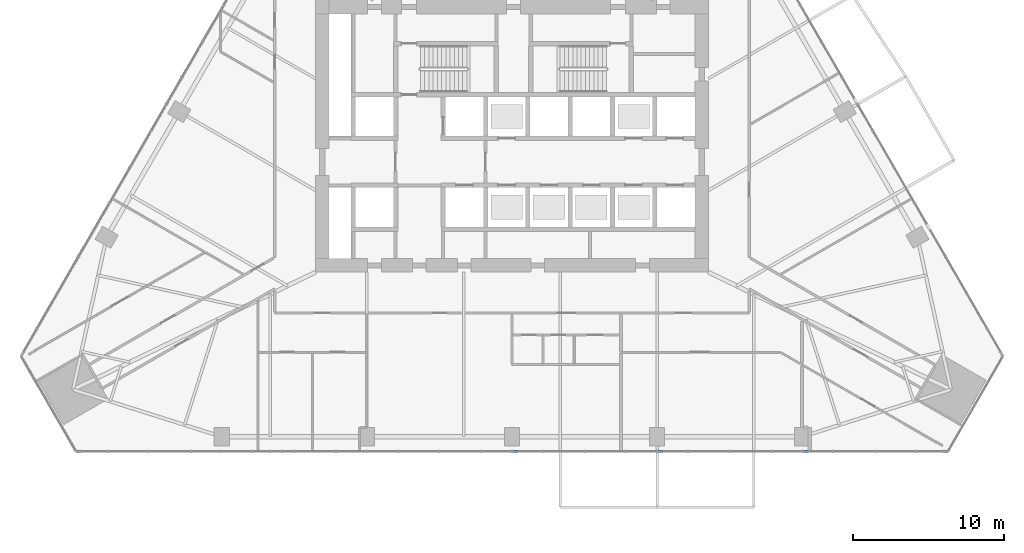
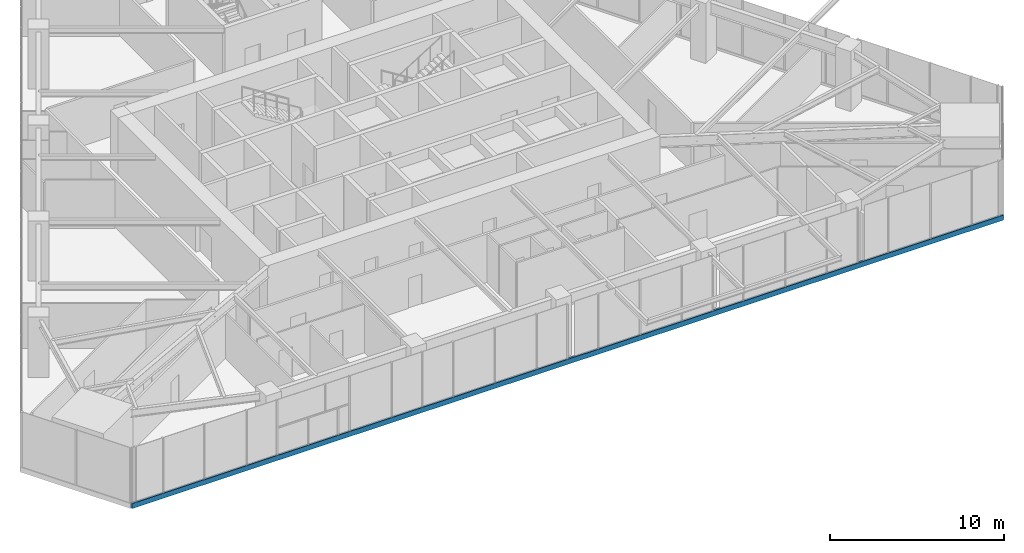
# One storey, part 5 of 29: 1 member, 1 element without a shape of its own.
"""IFC4 building model written with IfcOpenShell, lengths in metres."""

from ifc_helpers import new_model, si_unit, direction, frame, origin, origin_2d, place, context, subcontext, project, spatial, rectangle, extrude, material, layer, layer_set, material_profile, profile_set, type_object, element, aggregate, save


model = new_model("IFC4")

# Units and contexts
model_context = context("Model", 3, precision=1e-05, world=origin(), true_north=direction((0.0, 1.0)))
body_context = subcontext(model_context, "Body", "Model", "MODEL_VIEW")
ifc_project = project(units=[si_unit("LENGTHUNIT", "METRE"), si_unit("AREAUNIT", "SQUARE_METRE"), si_unit("VOLUMEUNIT", "CUBIC_METRE"), si_unit("PLANEANGLEUNIT", "RADIAN"), si_unit("MASSUNIT", "GRAM", prefix="KILO")], contexts=[model_context])

# Site, building, storey
site_placement = place(None, origin())
site = spatial("IfcSite", under=ifc_project, at=site_placement, CompositionType="ELEMENT")
building_placement = place(site_placement, origin())
building = spatial("IfcBuilding", under=site, at=building_placement, Name="Firuza Gate Tower and Library", CompositionType="ELEMENT")
storey_placement = place(building_placement, frame((0.0, 0.0, 44.199951171875)))
storey = spatial("IfcBuildingStorey", under=building, at=storey_placement, Name="L09", CompositionType="ELEMENT", Elevation=44.199951171875)

# Curtain wall, member
ifc_material_1 = material(Name="Aluminium 6063-T6", Category="aluminium")
ifc_layer = layer(ifc_material_1, 0.14990234375)
ifc_layer_set = layer_set([ifc_layer], Name="Unitised curtain wall, offices")
curtain_wall_type = type_object("IfcCurtainWallType", Name="Unitised curtain wall, offices", PredefinedType="NOTDEFINED", material=ifc_layer_set)
curtain_wall_placement = place(storey_placement, origin())
curtain_wall = element("IfcCurtainWall", 1, at=curtain_wall_placement, inside=storey, type_object=curtain_wall_type, Name="CW1 L09 S face", PredefinedType="NOTDEFINED")
ifc_material_2 = material(Name="Aluminium 6063-T6", Category="aluminium")
ifc_material_profile = material_profile(ifc_material_2, rectangle(XDim=0.14990234375, YDim=0.35009765625, at=origin_2d()))
ifc_profile_set = profile_set([ifc_material_profile], Name="Aluminium 6063-T6")
member_type = type_object("IfcMemberType", Name="Curtain wall transom 350x150", PredefinedType="USERDEFINED", material=ifc_profile_set)
member_placement = place(storey_placement, frame((46.15673828125, 54.140380859375, -0.02490234375), z_axis=(1.0, 0.0, 0.0), x_axis=(0.0, 1.0, 0.0)))
member = element("IfcMember", 2, at=member_placement, type_object=member_type, Name="Transom", ObjectType="TRANSOM", PredefinedType="USERDEFINED", context=body_context, shape_type="SweptSolid", body=[
    extrude(rectangle(XDim=0.14990234375, YDim=0.35009765625, at=origin_2d()), origin(), (0.0, 0.0, 1.0), 57.6865234375),
])
aggregate(curtain_wall, [member])

save(model, "model.ifc")
